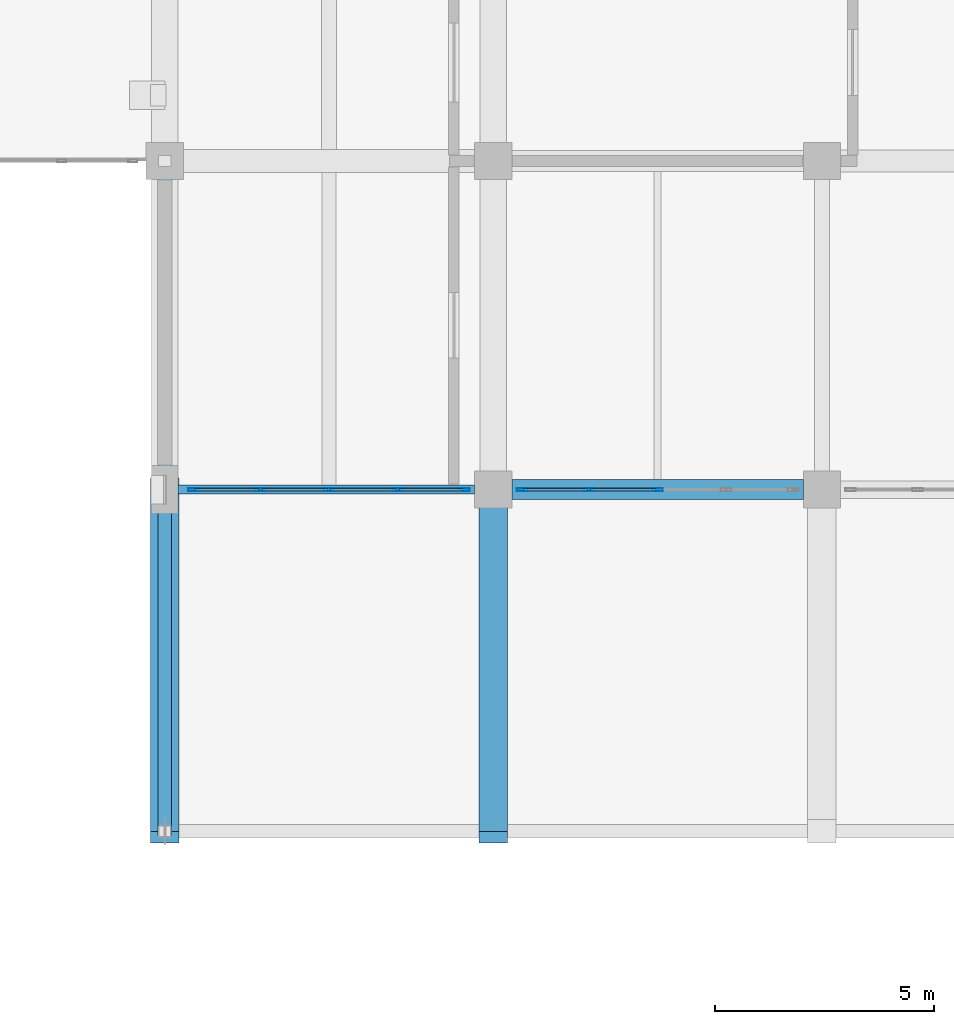
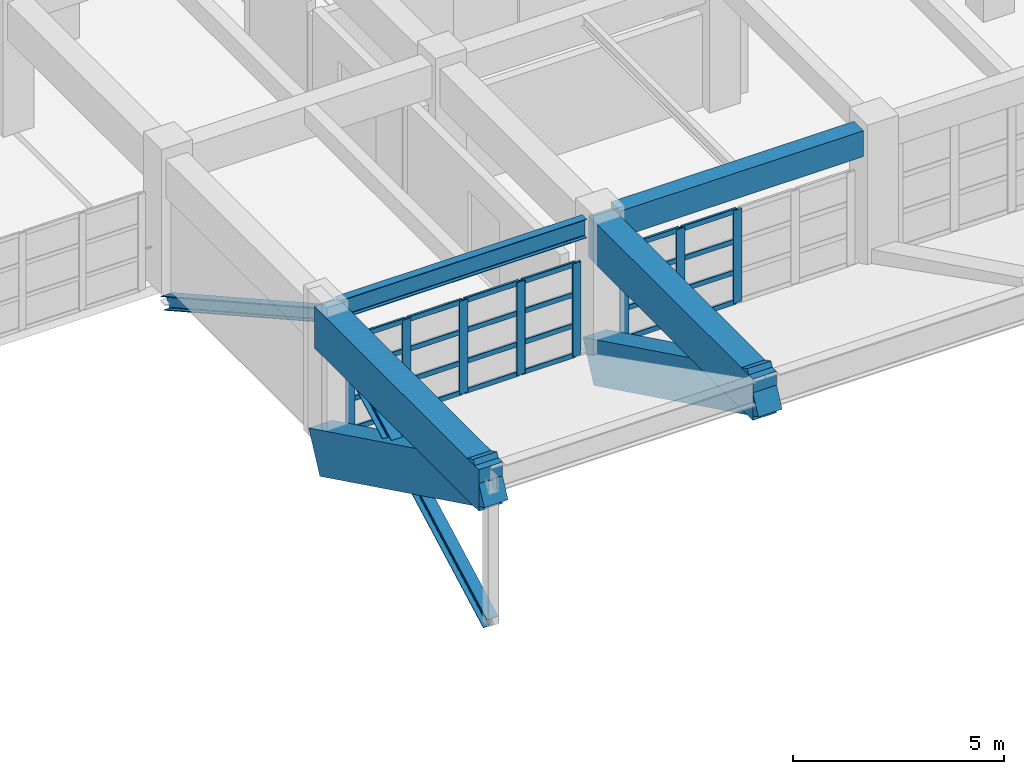
# One storey, part 13 of 132: 34 members, 6 beams, 2 elements without a shape of their own.
"""IFC4 building model written with IfcOpenShell, lengths in metres."""

from ifc_helpers import new_model, si_unit, direction, frame, origin, origin_2d, place, context, subcontext, project, spatial, rectangle, hollow_rectangle, i_section, extrude, material, material_profile, profile_set, type_object, element, aggregate, save


model = new_model("IFC4")

# Units and contexts
model_context = context("Model", 3, precision=1e-05, world=origin(), true_north=direction((0.0, 1.0)))
body_context = subcontext(model_context, "Body", "Model", "MODEL_VIEW")
ifc_project = project(units=[si_unit("LENGTHUNIT", "METRE"), si_unit("AREAUNIT", "SQUARE_METRE"), si_unit("VOLUMEUNIT", "CUBIC_METRE"), si_unit("PLANEANGLEUNIT", "RADIAN"), si_unit("MASSUNIT", "GRAM", prefix="KILO")], contexts=[model_context])

# Site, building, storey
site_placement = place(None, origin())
site = spatial("IfcSite", under=ifc_project, at=site_placement, CompositionType="ELEMENT")
building_placement = place(site_placement, origin())
building = spatial("IfcBuilding", under=site, at=building_placement, Name="Qasida Concert Hall", CompositionType="ELEMENT")
storey_placement = place(building_placement, frame((0.0, 0.0, 4.800048828125)))
storey = spatial("IfcBuildingStorey", under=building, at=storey_placement, Name="L01", CompositionType="ELEMENT", Elevation=4.800048828125)

# Beams
ifc_material_1 = material(Name="Concrete C50/60", Category="concrete")
ifc_material_profile_1 = material_profile(ifc_material_1, rectangle(XDim=0.64990234375, YDim=1.199951171875, at=origin_2d()), Name="RC 650x1200")
ifc_profile_set_1 = profile_set([ifc_material_profile_1], Name="Concrete C50/60")
beam_type_1 = type_object("IfcBeamType", Name="BM-CG-1200", PredefinedType="USERDEFINED", material=ifc_profile_set_1)
for number, where, z_axis, x_axis, name in (
    (1, (52.5, 22.5, -0.300048828125), (0.0, -0.898079250291, 0.439833673332), (1.0, 0.0, 0.0), "Upward-raked entrance soffit girder CGRK-525"),
    (2, (60.0, 22.5, -0.300048828125), (0.0, -0.898079250291, 0.439833673332), (1.0, 0.0, 0.0), "Upward-raked entrance soffit girder CGRK-600"),
):
    element("IfcBeam", number, at=place(storey_placement, frame(where, z_axis=z_axis, x_axis=x_axis)), inside=storey, type_object=beam_type_1, Name=name, ObjectType="GIRDER", PredefinedType="USERDEFINED", context=body_context, shape_type="SweptSolid", body=[
        extrude(rectangle(XDim=0.64990234375, YDim=1.199951171875, at=origin_2d()), origin(), (0.0, 0.0, 1.0), 8.685302734375),
    ])
for number, where, z_axis, x_axis, name in (
    (3, (52.5, 22.5, 3.320068359375), (0.0, -1.0, 0.0), (1.0, 0.0, 0.0), "Cantilever girder CG-001"),
    (4, (60.0, 22.5, 3.320068359375), (0.0, -1.0, 0.0), (1.0, 0.0, 0.0), "Cantilever girder CG-002"),
):
    element("IfcBeam", number, at=place(storey_placement, frame(where, z_axis=z_axis, x_axis=x_axis)), inside=storey, type_object=beam_type_1, Name=name, ObjectType="GIRDER", PredefinedType="USERDEFINED", context=body_context, shape_type="SweptSolid", body=[
        extrude(rectangle(XDim=0.64990234375, YDim=1.199951171875, at=origin_2d()), origin(), (0.0, 0.0, 1.0), 7.800048828125),
    ])
ifc_material_2 = material(Name="Steel S355J2", Category="steel")
ifc_material_profile_2 = material_profile(ifc_material_2, i_section(OverallWidth=0.2099609375, OverallDepth=0.550048828125, WebThickness=0.010986328125, FlangeThickness=0.01708984375, FilletRadius=0.02392578125, at=origin_2d()), Name="IPE 550")
ifc_profile_set_2 = profile_set([ifc_material_profile_2], Name="Steel S355J2")
beam_type_2 = type_object("IfcBeamType", Name="BM-SP2", PredefinedType="SPANDREL", material=ifc_profile_set_2)
beam_1_placement = place(storey_placement, frame((52.800048828125, 22.5, 3.64501953125), z_axis=(1.0, 0.0, 0.0), x_axis=(0.0, 1.0, 0.0)))
element("IfcBeam", 5, at=beam_1_placement, inside=storey, type_object=beam_type_2, Name="Primary girder 0760", PredefinedType="SPANDREL", context=body_context, shape_type="SweptSolid", body=[
    extrude(i_section(OverallWidth=0.2099609375, OverallDepth=0.550048828125, WebThickness=0.010986328125, FlangeThickness=0.01708984375, FilletRadius=0.02392578125, at=origin_2d()), origin(), (0.0, 0.0, 1.0), 6.77490234375),
])
ifc_material_3 = material(Name="Concrete C40/50", Category="concrete")
ifc_material_profile_3 = material_profile(ifc_material_3, rectangle(XDim=0.449951171875, YDim=0.75, at=origin_2d()), Name="RC 450x750")
ifc_profile_set_3 = profile_set([ifc_material_profile_3], Name="Concrete C40/50")
beam_type_3 = type_object("IfcBeamType", Name="BM-SP4", PredefinedType="SPANDREL", material=ifc_profile_set_3)
beam_2_placement = place(storey_placement, frame((60.425048828125, 22.5, 3.544921875), z_axis=(1.0, 0.0, 0.0), x_axis=(0.0, 1.0, 0.0)))
element("IfcBeam", 6, at=beam_2_placement, inside=storey, type_object=beam_type_3, Name="Primary girder 0761", PredefinedType="SPANDREL", context=body_context, shape_type="SweptSolid", body=[
    extrude(rectangle(XDim=0.449951171875, YDim=0.75, at=origin_2d()), origin(), (0.0, 0.0, 1.0), 6.64990234375),
])

# Members
ifc_material_profile_4 = material_profile(ifc_material_2, i_section(OverallWidth=0.300048828125, OverallDepth=0.360107421875, WebThickness=0.012451171875, FlangeThickness=0.0224609375, FilletRadius=0.027099609375, at=origin_2d()), Name="HEB 360")
ifc_profile_set_4 = profile_set([ifc_material_profile_4], Name="Steel S355J2")
member_type_1 = type_object("IfcMemberType", Name="MB-BR1", PredefinedType="BRACE", material=ifc_profile_set_4)
member_1_placement = place(storey_placement, frame((52.5, 22.5, 3.599853515625), z_axis=(0.0, 0.872508437544, -0.488599044631), x_axis=(-1.0, 0.0, 0.0)))
element("IfcMember", 7, at=member_1_placement, inside=storey, type_object=member_type_1, Name="Wall truss backspan brace WT-W-003", PredefinedType="BRACE", context=body_context, shape_type="SweptSolid", body=[
    extrude(i_section(OverallWidth=0.300048828125, OverallDepth=0.360107421875, WebThickness=0.012451171875, FlangeThickness=0.0224609375, FilletRadius=0.027099609375, at=origin_2d()), origin(), (0.0, 0.0, 1.0), 8.595947265625),
])
ifc_material_profile_5 = material_profile(ifc_material_2, i_section(OverallWidth=0.300048828125, OverallDepth=0.39990234375, WebThickness=0.013427734375, FlangeThickness=0.02392578125, FilletRadius=0.027099609375, at=origin_2d()), Name="HEB 400")
ifc_profile_set_5 = profile_set([ifc_material_profile_5], Name="Steel S355J2")
member_type_2 = type_object("IfcMemberType", Name="MB-CH1", PredefinedType="CHORD", material=ifc_profile_set_5)
member_2_placement = place(storey_placement, frame((52.5, 22.5, 3.599853515625), z_axis=(0.0, -0.880474639554, -0.474093249374), x_axis=(1.0, 0.0, 0.0)))
element("IfcMember", 8, at=member_2_placement, inside=storey, type_object=member_type_2, Name="Wall truss diagonal WT-W-002", PredefinedType="CHORD", context=body_context, shape_type="SweptSolid", body=[
    extrude(i_section(OverallWidth=0.300048828125, OverallDepth=0.39990234375, WebThickness=0.013427734375, FlangeThickness=0.02392578125, FilletRadius=0.027099609375, at=origin_2d()), origin(), (0.0, 0.0, 1.0), 8.85888671875),
])

# Curtain wall, members
ifc_material_4 = material(Name="Architectural bronze-anodized aluminium and low-E glass", Category="aluminium")
curtain_wall_type = type_object("IfcCurtainWallType", Name="CW-02", PredefinedType="NOTDEFINED", material=ifc_material_4)
curtain_wall_1_placement = place(storey_placement, origin())
curtain_wall_1 = element("IfcCurtainWall", 9, at=curtain_wall_1_placement, inside=storey, type_object=curtain_wall_type, Name="L01 curtain wall CW-02 0001", PredefinedType="NOTDEFINED")
ifc_material_5 = material(Name="Architectural bronze-anodized aluminium EN AW-6063", Category="aluminium")
ifc_material_profile_6 = material_profile(ifc_material_5, hollow_rectangle(XDim=0.070068359375, YDim=0.239990234375, WallThickness=0.0048828125, InnerFilletRadius=0.0048828125, OuterFilletRadius=0.010009765625, at=origin_2d()), Name="CWM 240x70x5")
ifc_profile_set_6 = profile_set([ifc_material_profile_6], Name="Architectural bronze-anodized aluminium EN AW-6063")
member_type_3 = type_object("IfcMemberType", Name="MB-CWM-1", PredefinedType="MULLION", material=ifc_profile_set_6)
member_3_placement = place(storey_placement, frame((53.155029296875, 22.5, 0.0), z_axis=(0.0, 0.0, 1.0), x_axis=(0.0, 1.0, 0.0)))
member_3 = element("IfcMember", 10, at=member_3_placement, type_object=member_type_3, Name="CW-02 mullion 1", PredefinedType="MULLION", context=body_context, shape_type="SweptSolid", body=[
    extrude(hollow_rectangle(XDim=0.070068359375, YDim=0.239990234375, WallThickness=0.0048828125, InnerFilletRadius=0.0048828125, OuterFilletRadius=0.010009765625, at=origin_2d()), origin(), (0.0, 0.0, 1.0), 2.68994140625),
])
member_4_placement = place(storey_placement, frame((54.68505859375, 22.5, 0.0), z_axis=(0.0, 0.0, 1.0), x_axis=(0.0, 1.0, 0.0)))
member_4 = element("IfcMember", 11, at=member_4_placement, type_object=member_type_3, Name="CW-02 mullion 2", PredefinedType="MULLION", context=body_context, shape_type="SweptSolid", body=[
    extrude(hollow_rectangle(XDim=0.070068359375, YDim=0.239990234375, WallThickness=0.0048828125, InnerFilletRadius=0.0048828125, OuterFilletRadius=0.010009765625, at=origin_2d()), origin(), (0.0, 0.0, 1.0), 2.68994140625),
])
member_5_placement = place(storey_placement, frame((56.25, 22.5, 0.0), z_axis=(0.0, 0.0, 1.0), x_axis=(0.0, 1.0, 0.0)))
member_5 = element("IfcMember", 12, at=member_5_placement, type_object=member_type_3, Name="CW-02 mullion 3", PredefinedType="MULLION", context=body_context, shape_type="SweptSolid", body=[
    extrude(hollow_rectangle(XDim=0.070068359375, YDim=0.239990234375, WallThickness=0.0048828125, InnerFilletRadius=0.0048828125, OuterFilletRadius=0.010009765625, at=origin_2d()), origin(), (0.0, 0.0, 1.0), 2.68994140625),
])
member_6_placement = place(storey_placement, frame((57.81494140625, 22.5, 0.0), z_axis=(0.0, 0.0, 1.0), x_axis=(0.0, 1.0, 0.0)))
member_6 = element("IfcMember", 13, at=member_6_placement, type_object=member_type_3, Name="CW-02 mullion 4", PredefinedType="MULLION", context=body_context, shape_type="SweptSolid", body=[
    extrude(hollow_rectangle(XDim=0.070068359375, YDim=0.239990234375, WallThickness=0.0048828125, InnerFilletRadius=0.0048828125, OuterFilletRadius=0.010009765625, at=origin_2d()), origin(), (0.0, 0.0, 1.0), 2.68994140625),
])
member_7_placement = place(storey_placement, frame((59.344970703125, 22.5, 0.0), z_axis=(0.0, 0.0, 1.0), x_axis=(0.0, 1.0, 0.0)))
member_7 = element("IfcMember", 14, at=member_7_placement, type_object=member_type_3, Name="CW-02 mullion 5", PredefinedType="MULLION", context=body_context, shape_type="SweptSolid", body=[
    extrude(hollow_rectangle(XDim=0.070068359375, YDim=0.239990234375, WallThickness=0.0048828125, InnerFilletRadius=0.0048828125, OuterFilletRadius=0.010009765625, at=origin_2d()), origin(), (0.0, 0.0, 1.0), 2.68994140625),
])

curtain_wall_2_placement = place(storey_placement, origin())
curtain_wall_2 = element("IfcCurtainWall", 15, at=curtain_wall_2_placement, inside=storey, type_object=curtain_wall_type, Name="L01 curtain wall CW-02 0002", PredefinedType="NOTDEFINED")
member_8_placement = place(storey_placement, frame((60.655029296875, 22.5, 0.0), z_axis=(0.0, 0.0, 1.0), x_axis=(0.0, 1.0, 0.0)))
member_8 = element("IfcMember", 16, at=member_8_placement, type_object=member_type_3, Name="CW-02 mullion 1", PredefinedType="MULLION", context=body_context, shape_type="SweptSolid", body=[
    extrude(hollow_rectangle(XDim=0.070068359375, YDim=0.239990234375, WallThickness=0.0048828125, InnerFilletRadius=0.0048828125, OuterFilletRadius=0.010009765625, at=origin_2d()), origin(), (0.0, 0.0, 1.0), 2.68994140625),
])
member_9_placement = place(storey_placement, frame((62.18505859375, 22.5, 0.0), z_axis=(0.0, 0.0, 1.0), x_axis=(0.0, 1.0, 0.0)))
member_9 = element("IfcMember", 17, at=member_9_placement, type_object=member_type_3, Name="CW-02 mullion 2", PredefinedType="MULLION", context=body_context, shape_type="SweptSolid", body=[
    extrude(hollow_rectangle(XDim=0.070068359375, YDim=0.239990234375, WallThickness=0.0048828125, InnerFilletRadius=0.0048828125, OuterFilletRadius=0.010009765625, at=origin_2d()), origin(), (0.0, 0.0, 1.0), 2.68994140625),
])
member_10_placement = place(storey_placement, frame((63.75, 22.5, 0.0), z_axis=(0.0, 0.0, 1.0), x_axis=(0.0, 1.0, 0.0)))
member_10 = element("IfcMember", 18, at=member_10_placement, type_object=member_type_3, Name="CW-02 mullion 3", PredefinedType="MULLION", context=body_context, shape_type="SweptSolid", body=[
    extrude(hollow_rectangle(XDim=0.070068359375, YDim=0.239990234375, WallThickness=0.0048828125, InnerFilletRadius=0.0048828125, OuterFilletRadius=0.010009765625, at=origin_2d()), origin(), (0.0, 0.0, 1.0), 2.68994140625),
])

# Member
ifc_material_profile_7 = material_profile(ifc_material_5, hollow_rectangle(XDim=0.06494140625, YDim=0.14990234375, WallThickness=0.00390625, InnerFilletRadius=0.00390625, OuterFilletRadius=0.008056640625, at=origin_2d()), Name="CWT 150x65x4")
ifc_profile_set_7 = profile_set([ifc_material_profile_7], Name="Architectural bronze-anodized aluminium EN AW-6063")
member_type_4 = type_object("IfcMemberType", Name="MB-CWT-1", PredefinedType="USERDEFINED", material=ifc_profile_set_7)
member_11_placement = place(storey_placement, frame((53.18994140625, 22.5, 0.032470703125), z_axis=(1.0, 0.0, 0.0), x_axis=(0.0, 1.0, 0.0)))
member_11 = element("IfcMember", 19, at=member_11_placement, type_object=member_type_4, Name="CW-02 transom 1.1", ObjectType="TRANSOM", PredefinedType="USERDEFINED", context=body_context, shape_type="SweptSolid", body=[
    extrude(hollow_rectangle(XDim=0.06494140625, YDim=0.14990234375, WallThickness=0.00390625, InnerFilletRadius=0.00390625, OuterFilletRadius=0.008056640625, at=origin_2d()), origin(), (0.0, 0.0, 1.0), 1.4599609375),
])

member_12_placement = place(storey_placement, frame((53.18994140625, 22.5, 0.896728515625), z_axis=(1.0, 0.0, 0.0), x_axis=(0.0, 1.0, 0.0)))
member_12 = element("IfcMember", 20, at=member_12_placement, type_object=member_type_4, Name="CW-02 transom 1.2", ObjectType="TRANSOM", PredefinedType="USERDEFINED", context=body_context, shape_type="SweptSolid", body=[
    extrude(hollow_rectangle(XDim=0.06494140625, YDim=0.14990234375, WallThickness=0.00390625, InnerFilletRadius=0.00390625, OuterFilletRadius=0.008056640625, at=origin_2d()), origin(), (0.0, 0.0, 1.0), 1.4599609375),
])

member_13_placement = place(storey_placement, frame((53.18994140625, 22.5, 1.793212890625), z_axis=(1.0, 0.0, 0.0), x_axis=(0.0, 1.0, 0.0)))
member_13 = element("IfcMember", 21, at=member_13_placement, type_object=member_type_4, Name="CW-02 transom 1.3", ObjectType="TRANSOM", PredefinedType="USERDEFINED", context=body_context, shape_type="SweptSolid", body=[
    extrude(hollow_rectangle(XDim=0.06494140625, YDim=0.14990234375, WallThickness=0.00390625, InnerFilletRadius=0.00390625, OuterFilletRadius=0.008056640625, at=origin_2d()), origin(), (0.0, 0.0, 1.0), 1.4599609375),
])

member_14_placement = place(storey_placement, frame((53.18994140625, 22.5, 2.657470703125), z_axis=(1.0, 0.0, 0.0), x_axis=(0.0, 1.0, 0.0)))
member_14 = element("IfcMember", 22, at=member_14_placement, type_object=member_type_4, Name="CW-02 transom 1.4", ObjectType="TRANSOM", PredefinedType="USERDEFINED", context=body_context, shape_type="SweptSolid", body=[
    extrude(hollow_rectangle(XDim=0.06494140625, YDim=0.14990234375, WallThickness=0.00390625, InnerFilletRadius=0.00390625, OuterFilletRadius=0.008056640625, at=origin_2d()), origin(), (0.0, 0.0, 1.0), 1.4599609375),
])

member_15_placement = place(storey_placement, frame((54.719970703125, 22.5, 0.032470703125), z_axis=(1.0, 0.0, 0.0), x_axis=(0.0, 1.0, 0.0)))
member_15 = element("IfcMember", 23, at=member_15_placement, type_object=member_type_4, Name="CW-02 transom 2.1", ObjectType="TRANSOM", PredefinedType="USERDEFINED", context=body_context, shape_type="SweptSolid", body=[
    extrude(hollow_rectangle(XDim=0.06494140625, YDim=0.14990234375, WallThickness=0.00390625, InnerFilletRadius=0.00390625, OuterFilletRadius=0.008056640625, at=origin_2d()), origin(), (0.0, 0.0, 1.0), 1.4951171875),
])

member_16_placement = place(storey_placement, frame((54.719970703125, 22.5, 0.896728515625), z_axis=(1.0, 0.0, 0.0), x_axis=(0.0, 1.0, 0.0)))
member_16 = element("IfcMember", 24, at=member_16_placement, type_object=member_type_4, Name="CW-02 transom 2.2", ObjectType="TRANSOM", PredefinedType="USERDEFINED", context=body_context, shape_type="SweptSolid", body=[
    extrude(hollow_rectangle(XDim=0.06494140625, YDim=0.14990234375, WallThickness=0.00390625, InnerFilletRadius=0.00390625, OuterFilletRadius=0.008056640625, at=origin_2d()), origin(), (0.0, 0.0, 1.0), 1.4951171875),
])

member_17_placement = place(storey_placement, frame((54.719970703125, 22.5, 1.793212890625), z_axis=(1.0, 0.0, 0.0), x_axis=(0.0, 1.0, 0.0)))
member_17 = element("IfcMember", 25, at=member_17_placement, type_object=member_type_4, Name="CW-02 transom 2.3", ObjectType="TRANSOM", PredefinedType="USERDEFINED", context=body_context, shape_type="SweptSolid", body=[
    extrude(hollow_rectangle(XDim=0.06494140625, YDim=0.14990234375, WallThickness=0.00390625, InnerFilletRadius=0.00390625, OuterFilletRadius=0.008056640625, at=origin_2d()), origin(), (0.0, 0.0, 1.0), 1.4951171875),
])

member_18_placement = place(storey_placement, frame((54.719970703125, 22.5, 2.657470703125), z_axis=(1.0, 0.0, 0.0), x_axis=(0.0, 1.0, 0.0)))
member_18 = element("IfcMember", 26, at=member_18_placement, type_object=member_type_4, Name="CW-02 transom 2.4", ObjectType="TRANSOM", PredefinedType="USERDEFINED", context=body_context, shape_type="SweptSolid", body=[
    extrude(hollow_rectangle(XDim=0.06494140625, YDim=0.14990234375, WallThickness=0.00390625, InnerFilletRadius=0.00390625, OuterFilletRadius=0.008056640625, at=origin_2d()), origin(), (0.0, 0.0, 1.0), 1.4951171875),
])

member_19_placement = place(storey_placement, frame((56.284912109375, 22.5, 0.032470703125), z_axis=(1.0, 0.0, 0.0), x_axis=(0.0, 1.0, 0.0)))
member_19 = element("IfcMember", 27, at=member_19_placement, type_object=member_type_4, Name="CW-02 transom 3.1", ObjectType="TRANSOM", PredefinedType="USERDEFINED", context=body_context, shape_type="SweptSolid", body=[
    extrude(hollow_rectangle(XDim=0.06494140625, YDim=0.14990234375, WallThickness=0.00390625, InnerFilletRadius=0.00390625, OuterFilletRadius=0.008056640625, at=origin_2d()), origin(), (0.0, 0.0, 1.0), 1.4951171875),
])

member_20_placement = place(storey_placement, frame((56.284912109375, 22.5, 0.896728515625), z_axis=(1.0, 0.0, 0.0), x_axis=(0.0, 1.0, 0.0)))
member_20 = element("IfcMember", 28, at=member_20_placement, type_object=member_type_4, Name="CW-02 transom 3.2", ObjectType="TRANSOM", PredefinedType="USERDEFINED", context=body_context, shape_type="SweptSolid", body=[
    extrude(hollow_rectangle(XDim=0.06494140625, YDim=0.14990234375, WallThickness=0.00390625, InnerFilletRadius=0.00390625, OuterFilletRadius=0.008056640625, at=origin_2d()), origin(), (0.0, 0.0, 1.0), 1.4951171875),
])

member_21_placement = place(storey_placement, frame((56.284912109375, 22.5, 1.793212890625), z_axis=(1.0, 0.0, 0.0), x_axis=(0.0, 1.0, 0.0)))
member_21 = element("IfcMember", 29, at=member_21_placement, type_object=member_type_4, Name="CW-02 transom 3.3", ObjectType="TRANSOM", PredefinedType="USERDEFINED", context=body_context, shape_type="SweptSolid", body=[
    extrude(hollow_rectangle(XDim=0.06494140625, YDim=0.14990234375, WallThickness=0.00390625, InnerFilletRadius=0.00390625, OuterFilletRadius=0.008056640625, at=origin_2d()), origin(), (0.0, 0.0, 1.0), 1.4951171875),
])

member_22_placement = place(storey_placement, frame((56.284912109375, 22.5, 2.657470703125), z_axis=(1.0, 0.0, 0.0), x_axis=(0.0, 1.0, 0.0)))
member_22 = element("IfcMember", 30, at=member_22_placement, type_object=member_type_4, Name="CW-02 transom 3.4", ObjectType="TRANSOM", PredefinedType="USERDEFINED", context=body_context, shape_type="SweptSolid", body=[
    extrude(hollow_rectangle(XDim=0.06494140625, YDim=0.14990234375, WallThickness=0.00390625, InnerFilletRadius=0.00390625, OuterFilletRadius=0.008056640625, at=origin_2d()), origin(), (0.0, 0.0, 1.0), 1.4951171875),
])

member_23_placement = place(storey_placement, frame((57.85009765625, 22.5, 0.032470703125), z_axis=(1.0, 0.0, 0.0), x_axis=(0.0, 1.0, 0.0)))
member_23 = element("IfcMember", 31, at=member_23_placement, type_object=member_type_4, Name="CW-02 transom 4.1", ObjectType="TRANSOM", PredefinedType="USERDEFINED", context=body_context, shape_type="SweptSolid", body=[
    extrude(hollow_rectangle(XDim=0.06494140625, YDim=0.14990234375, WallThickness=0.00390625, InnerFilletRadius=0.00390625, OuterFilletRadius=0.008056640625, at=origin_2d()), origin(), (0.0, 0.0, 1.0), 1.4599609375),
])

member_24_placement = place(storey_placement, frame((57.85009765625, 22.5, 0.896728515625), z_axis=(1.0, 0.0, 0.0), x_axis=(0.0, 1.0, 0.0)))
member_24 = element("IfcMember", 32, at=member_24_placement, type_object=member_type_4, Name="CW-02 transom 4.2", ObjectType="TRANSOM", PredefinedType="USERDEFINED", context=body_context, shape_type="SweptSolid", body=[
    extrude(hollow_rectangle(XDim=0.06494140625, YDim=0.14990234375, WallThickness=0.00390625, InnerFilletRadius=0.00390625, OuterFilletRadius=0.008056640625, at=origin_2d()), origin(), (0.0, 0.0, 1.0), 1.4599609375),
])

member_25_placement = place(storey_placement, frame((57.85009765625, 22.5, 1.793212890625), z_axis=(1.0, 0.0, 0.0), x_axis=(0.0, 1.0, 0.0)))
member_25 = element("IfcMember", 33, at=member_25_placement, type_object=member_type_4, Name="CW-02 transom 4.3", ObjectType="TRANSOM", PredefinedType="USERDEFINED", context=body_context, shape_type="SweptSolid", body=[
    extrude(hollow_rectangle(XDim=0.06494140625, YDim=0.14990234375, WallThickness=0.00390625, InnerFilletRadius=0.00390625, OuterFilletRadius=0.008056640625, at=origin_2d()), origin(), (0.0, 0.0, 1.0), 1.4599609375),
])

member_26_placement = place(storey_placement, frame((57.85009765625, 22.5, 2.657470703125), z_axis=(1.0, 0.0, 0.0), x_axis=(0.0, 1.0, 0.0)))
member_26 = element("IfcMember", 34, at=member_26_placement, type_object=member_type_4, Name="CW-02 transom 4.4", ObjectType="TRANSOM", PredefinedType="USERDEFINED", context=body_context, shape_type="SweptSolid", body=[
    extrude(hollow_rectangle(XDim=0.06494140625, YDim=0.14990234375, WallThickness=0.00390625, InnerFilletRadius=0.00390625, OuterFilletRadius=0.008056640625, at=origin_2d()), origin(), (0.0, 0.0, 1.0), 1.4599609375),
])

aggregate(curtain_wall_1, [member_3, member_4, member_5, member_6, member_7, member_11, member_12, member_13, member_14, member_15, member_16, member_17, member_18, member_19, member_20, member_21, member_22, member_23, member_24, member_25, member_26])

member_27_placement = place(storey_placement, frame((60.68994140625, 22.5, 0.032470703125), z_axis=(1.0, 0.0, 0.0), x_axis=(0.0, 1.0, 0.0)))
member_27 = element("IfcMember", 35, at=member_27_placement, type_object=member_type_4, Name="CW-02 transom 1.1", ObjectType="TRANSOM", PredefinedType="USERDEFINED", context=body_context, shape_type="SweptSolid", body=[
    extrude(hollow_rectangle(XDim=0.06494140625, YDim=0.14990234375, WallThickness=0.00390625, InnerFilletRadius=0.00390625, OuterFilletRadius=0.008056640625, at=origin_2d()), origin(), (0.0, 0.0, 1.0), 1.4599609375),
])

member_28_placement = place(storey_placement, frame((60.68994140625, 22.5, 0.896728515625), z_axis=(1.0, 0.0, 0.0), x_axis=(0.0, 1.0, 0.0)))
member_28 = element("IfcMember", 36, at=member_28_placement, type_object=member_type_4, Name="CW-02 transom 1.2", ObjectType="TRANSOM", PredefinedType="USERDEFINED", context=body_context, shape_type="SweptSolid", body=[
    extrude(hollow_rectangle(XDim=0.06494140625, YDim=0.14990234375, WallThickness=0.00390625, InnerFilletRadius=0.00390625, OuterFilletRadius=0.008056640625, at=origin_2d()), origin(), (0.0, 0.0, 1.0), 1.4599609375),
])

member_29_placement = place(storey_placement, frame((60.68994140625, 22.5, 1.793212890625), z_axis=(1.0, 0.0, 0.0), x_axis=(0.0, 1.0, 0.0)))
member_29 = element("IfcMember", 37, at=member_29_placement, type_object=member_type_4, Name="CW-02 transom 1.3", ObjectType="TRANSOM", PredefinedType="USERDEFINED", context=body_context, shape_type="SweptSolid", body=[
    extrude(hollow_rectangle(XDim=0.06494140625, YDim=0.14990234375, WallThickness=0.00390625, InnerFilletRadius=0.00390625, OuterFilletRadius=0.008056640625, at=origin_2d()), origin(), (0.0, 0.0, 1.0), 1.4599609375),
])

member_30_placement = place(storey_placement, frame((60.68994140625, 22.5, 2.657470703125), z_axis=(1.0, 0.0, 0.0), x_axis=(0.0, 1.0, 0.0)))
member_30 = element("IfcMember", 38, at=member_30_placement, type_object=member_type_4, Name="CW-02 transom 1.4", ObjectType="TRANSOM", PredefinedType="USERDEFINED", context=body_context, shape_type="SweptSolid", body=[
    extrude(hollow_rectangle(XDim=0.06494140625, YDim=0.14990234375, WallThickness=0.00390625, InnerFilletRadius=0.00390625, OuterFilletRadius=0.008056640625, at=origin_2d()), origin(), (0.0, 0.0, 1.0), 1.4599609375),
])

member_31_placement = place(storey_placement, frame((62.219970703125, 22.5, 0.032470703125), z_axis=(1.0, 0.0, 0.0), x_axis=(0.0, 1.0, 0.0)))
member_31 = element("IfcMember", 39, at=member_31_placement, type_object=member_type_4, Name="CW-02 transom 2.1", ObjectType="TRANSOM", PredefinedType="USERDEFINED", context=body_context, shape_type="SweptSolid", body=[
    extrude(hollow_rectangle(XDim=0.06494140625, YDim=0.14990234375, WallThickness=0.00390625, InnerFilletRadius=0.00390625, OuterFilletRadius=0.008056640625, at=origin_2d()), origin(), (0.0, 0.0, 1.0), 1.4951171875),
])

member_32_placement = place(storey_placement, frame((62.219970703125, 22.5, 0.896728515625), z_axis=(1.0, 0.0, 0.0), x_axis=(0.0, 1.0, 0.0)))
member_32 = element("IfcMember", 40, at=member_32_placement, type_object=member_type_4, Name="CW-02 transom 2.2", ObjectType="TRANSOM", PredefinedType="USERDEFINED", context=body_context, shape_type="SweptSolid", body=[
    extrude(hollow_rectangle(XDim=0.06494140625, YDim=0.14990234375, WallThickness=0.00390625, InnerFilletRadius=0.00390625, OuterFilletRadius=0.008056640625, at=origin_2d()), origin(), (0.0, 0.0, 1.0), 1.4951171875),
])

member_33_placement = place(storey_placement, frame((62.219970703125, 22.5, 1.793212890625), z_axis=(1.0, 0.0, 0.0), x_axis=(0.0, 1.0, 0.0)))
member_33 = element("IfcMember", 41, at=member_33_placement, type_object=member_type_4, Name="CW-02 transom 2.3", ObjectType="TRANSOM", PredefinedType="USERDEFINED", context=body_context, shape_type="SweptSolid", body=[
    extrude(hollow_rectangle(XDim=0.06494140625, YDim=0.14990234375, WallThickness=0.00390625, InnerFilletRadius=0.00390625, OuterFilletRadius=0.008056640625, at=origin_2d()), origin(), (0.0, 0.0, 1.0), 1.4951171875),
])

member_34_placement = place(storey_placement, frame((62.219970703125, 22.5, 2.657470703125), z_axis=(1.0, 0.0, 0.0), x_axis=(0.0, 1.0, 0.0)))
member_34 = element("IfcMember", 42, at=member_34_placement, type_object=member_type_4, Name="CW-02 transom 2.4", ObjectType="TRANSOM", PredefinedType="USERDEFINED", context=body_context, shape_type="SweptSolid", body=[
    extrude(hollow_rectangle(XDim=0.06494140625, YDim=0.14990234375, WallThickness=0.00390625, InnerFilletRadius=0.00390625, OuterFilletRadius=0.008056640625, at=origin_2d()), origin(), (0.0, 0.0, 1.0), 1.4951171875),
])

aggregate(curtain_wall_2, [member_8, member_9, member_10, member_27, member_28, member_29, member_30, member_31, member_32, member_33, member_34])

save(model, "model.ifc")
